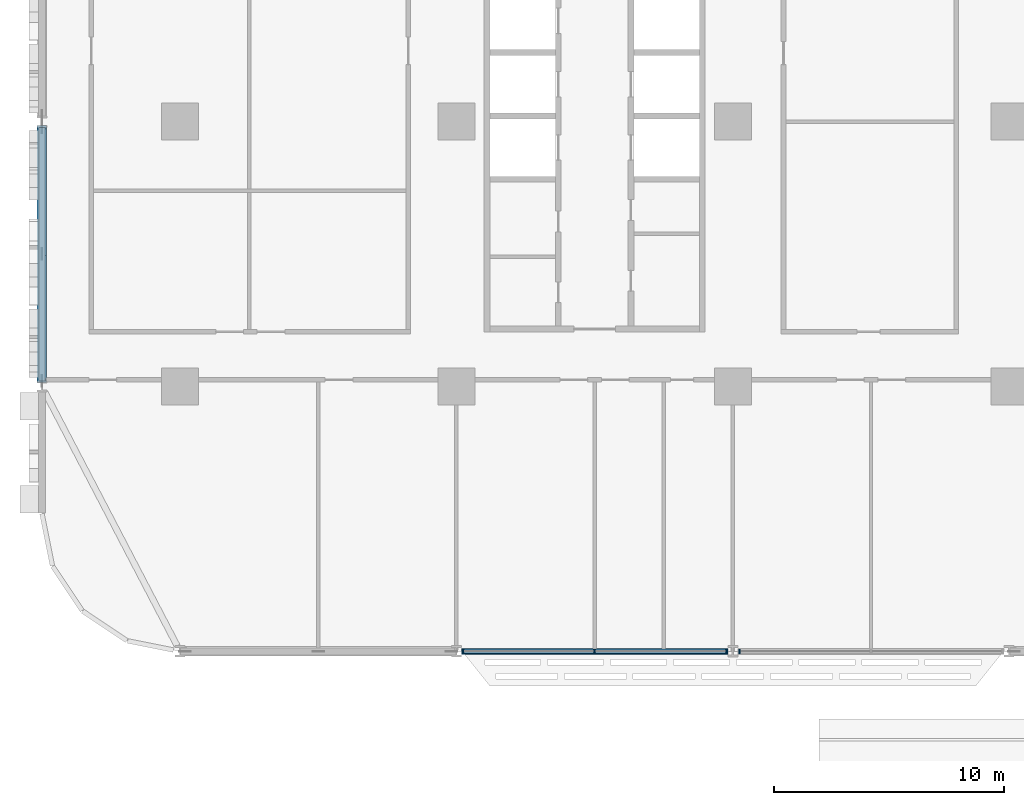
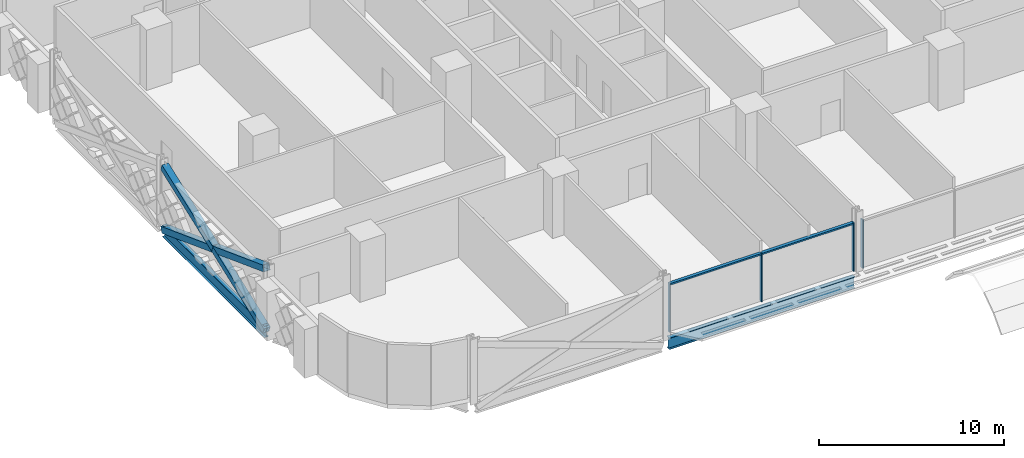
# One storey, part 2 of 26: 9 members, 2 beams, 2 elements without a shape of their own.
"""IFC4 building model written with IfcOpenShell, lengths in metres."""

from ifc_helpers import new_model, si_unit, direction, frame, origin, origin_2d, place, context, subcontext, project, spatial, rectangle, hollow_rectangle, i_section, extrude, material, material_profile, profile_set, type_object, element, aggregate, save


model = new_model("IFC4")

# Units and contexts
model_context = context("Model", 3, precision=1e-05, world=origin(), true_north=direction((0.0, 1.0)))
body_context = subcontext(model_context, "Body", "Model", "MODEL_VIEW")
ifc_project = project(units=[si_unit("LENGTHUNIT", "METRE"), si_unit("AREAUNIT", "SQUARE_METRE"), si_unit("VOLUMEUNIT", "CUBIC_METRE"), si_unit("PLANEANGLEUNIT", "RADIAN"), si_unit("MASSUNIT", "GRAM", prefix="KILO")], contexts=[model_context])

# Site, building, storey
site_placement = place(None, origin())
site = spatial("IfcSite", under=ifc_project, at=site_placement, CompositionType="ELEMENT")
building_placement = place(site_placement, origin())
building = spatial("IfcBuilding", under=site, at=building_placement, Name="Mahtab Terrace Research Tower", CompositionType="ELEMENT")
storey_placement = place(building_placement, frame((0.0, 0.0, 15.800048828125)))
storey = spatial("IfcBuildingStorey", under=building, at=storey_placement, Name="L03", CompositionType="ELEMENT", Elevation=15.800048828125)

# Members
ifc_material_1 = material(Name="Steel ASTM A500 Gr C", Category="steel")
ifc_material_profile_1 = material_profile(ifc_material_1, hollow_rectangle(XDim=0.406494140625, YDim=0.406494140625, WallThickness=0.01904296875, at=origin_2d()), Name="HSS16X16X3/4")
ifc_profile_set_1 = profile_set([ifc_material_profile_1], Name="Steel ASTM A500 Gr C")
member_type_1 = type_object("IfcMemberType", Name="HSS 16x16x3/4 brace XB161634", PredefinedType="BRACE", material=ifc_profile_set_1)
member_1_placement = place(storey_placement, frame((-48.0, -0.248779296875, -0.62548828125), z_axis=(0.0, -0.936661873217, 0.350234971499), x_axis=(1.0, 0.0, 0.0)))
element("IfcMember", 1, at=member_1_placement, inside=storey, type_object=member_type_1, Name="Exoskeleton brace L03 10 a", PredefinedType="BRACE", context=body_context, shape_type="SweptSolid", body=[
    extrude(hollow_rectangle(XDim=0.406494140625, YDim=0.406494140625, WallThickness=0.01904296875, at=origin_2d()), origin(), (0.0, 0.0, 1.0), 11.746337890625),
])
for number, where, z_axis, x_axis, name in (
    (2, (-48.0, -11.251220703125, -0.62548828125), (0.0, 0.936668691391, 0.350216736563), (-1.0, 0.0, 0.0), "Exoskeleton brace L03 10 b1"),
    (3, (-48.0, -5.75, 1.431396484375), (0.0, 0.936655054788, 0.350253206038), (-1.0, 0.0, 0.0), "Exoskeleton brace L03 10 b2"),
):
    element("IfcMember", number, at=place(storey_placement, frame(where, z_axis=z_axis, x_axis=x_axis)), inside=storey, type_object=member_type_1, Name=name, PredefinedType="BRACE", context=body_context, shape_type="SweptSolid", body=[
        extrude(hollow_rectangle(XDim=0.406494140625, YDim=0.406494140625, WallThickness=0.01904296875, at=origin_2d()), origin(), (0.0, 0.0, 1.0), 5.873291015625),
    ])

# Curtain wall, members
ifc_material_2 = material(Name="Laboratory ribbon curtain wall")
curtain_wall_type = type_object("IfcCurtainWallType", Name="Laboratory ribbon curtain wall", PredefinedType="NOTDEFINED", material=ifc_material_2)
curtain_wall_1_placement = place(storey_placement, origin())
curtain_wall_1 = element("IfcCurtainWall", 4, at=curtain_wall_1_placement, inside=storey, type_object=curtain_wall_type, Name="EN.L03.13.23", PredefinedType="NOTDEFINED")
ifc_material_3 = material(Name="Natural anodised aluminium", Category="aluminium")
ifc_material_profile_2 = material_profile(ifc_material_3, rectangle(XDim=0.199951171875, YDim=0.06494140625, at=origin_2d()), Name="MULLION 65x200")
ifc_profile_set_2 = profile_set([ifc_material_profile_2], Name="Natural anodised aluminium")
member_type_2 = type_object("IfcMemberType", Name="Laboratory ribbon curtain wall mullion", PredefinedType="MULLION", material=ifc_profile_set_2)
member_2_placement = place(storey_placement, frame((-29.718505859375, -23.0, 0.0), z_axis=(0.0, 0.0, 1.0), x_axis=(0.0, 1.0, 0.0)))
member_2 = element("IfcMember", 5, at=member_2_placement, type_object=member_type_2, Name="CWL-1 mullion 1", PredefinedType="MULLION", context=body_context, shape_type="SweptSolid", body=[
    extrude(rectangle(XDim=0.199951171875, YDim=0.06494140625, at=origin_2d()), origin(), (0.0, 0.0, 1.0), 3.203125),
])
member_3_placement = place(storey_placement, frame((-24.0, -23.0, 0.0), z_axis=(0.0, 0.0, 1.0), x_axis=(0.0, 1.0, 0.0)))
member_3 = element("IfcMember", 6, at=member_3_placement, type_object=member_type_2, Name="CWL-1 mullion 2", PredefinedType="MULLION", context=body_context, shape_type="SweptSolid", body=[
    extrude(rectangle(XDim=0.199951171875, YDim=0.06494140625, at=origin_2d()), origin(), (0.0, 0.0, 1.0), 3.203125),
])
member_4_placement = place(storey_placement, frame((-18.281494140625, -23.0, 0.0), z_axis=(0.0, 0.0, 1.0), x_axis=(0.0, 1.0, 0.0)))
member_4 = element("IfcMember", 7, at=member_4_placement, type_object=member_type_2, Name="CWL-1 mullion 3", PredefinedType="MULLION", context=body_context, shape_type="SweptSolid", body=[
    extrude(rectangle(XDim=0.199951171875, YDim=0.06494140625, at=origin_2d()), origin(), (0.0, 0.0, 1.0), 3.203125),
])

# Curtain wall, member
curtain_wall_2_placement = place(storey_placement, origin())
curtain_wall_2 = element("IfcCurtainWall", 8, at=curtain_wall_2_placement, inside=storey, type_object=curtain_wall_type, Name="EN.L03.13.24", PredefinedType="NOTDEFINED")
member_5_placement = place(storey_placement, frame((-17.718505859375, -23.0, 0.0), z_axis=(0.0, 0.0, 1.0), x_axis=(0.0, 1.0, 0.0)))
member_5 = element("IfcMember", 9, at=member_5_placement, type_object=member_type_2, Name="CWL-1 mullion 1", PredefinedType="MULLION", context=body_context, shape_type="SweptSolid", body=[
    extrude(rectangle(XDim=0.199951171875, YDim=0.06494140625, at=origin_2d()), origin(), (0.0, 0.0, 1.0), 3.203125),
])
aggregate(curtain_wall_2, [member_5])

# Member
ifc_material_profile_3 = material_profile(ifc_material_3, rectangle(XDim=0.199951171875, YDim=0.10009765625, at=origin_2d()), Name="TRANSOM 100x200")
ifc_profile_set_3 = profile_set([ifc_material_profile_3], Name="Natural anodised aluminium")
member_type_3 = type_object("IfcMemberType", Name="Laboratory ribbon curtain wall transom", PredefinedType="USERDEFINED", material=ifc_profile_set_3)
member_6_placement = place(storey_placement, frame((-29.68603515625, -23.0, 3.153076171875), z_axis=(1.0, 0.0, 0.0), x_axis=(0.0, 1.0, 0.0)))
member_6 = element("IfcMember", 10, at=member_6_placement, type_object=member_type_3, Name="CWL-1 transom 1", ObjectType="TRANSOM", PredefinedType="USERDEFINED", context=body_context, shape_type="SweptSolid", body=[
    extrude(rectangle(XDim=0.199951171875, YDim=0.10009765625, at=origin_2d()), origin(), (0.0, 0.0, 1.0), 5.653564453125),
])

member_7_placement = place(storey_placement, frame((-23.967529296875, -23.0, 3.153076171875), z_axis=(1.0, 0.0, 0.0), x_axis=(0.0, 1.0, 0.0)))
member_7 = element("IfcMember", 11, at=member_7_placement, type_object=member_type_3, Name="CWL-1 transom 2", ObjectType="TRANSOM", PredefinedType="USERDEFINED", context=body_context, shape_type="SweptSolid", body=[
    extrude(rectangle(XDim=0.199951171875, YDim=0.10009765625, at=origin_2d()), origin(), (0.0, 0.0, 1.0), 5.653564453125),
])

aggregate(curtain_wall_1, [member_2, member_3, member_4, member_6, member_7])

# Beams
ifc_material_4 = material(Name="Steel ASTM A992 Gr 50", Category="steel")
ifc_material_profile_4 = material_profile(ifc_material_4, i_section(OverallWidth=0.2666015625, OverallDepth=0.7568359375, WebThickness=0.013916015625, FlangeThickness=0.019287109375, at=origin_2d()), Name="W30X108")
ifc_profile_set_4 = profile_set([ifc_material_profile_4], Name="Steel ASTM A992 Gr 50")
beam_type = type_object("IfcBeamType", Name="W30x108 beam BS30108", PredefinedType="BEAM", material=ifc_profile_set_4)
beam_1_placement = place(storey_placement, frame((-48.0, -0.248779296875, -0.718505859375), z_axis=(0.0, -1.0, 0.0), x_axis=(1.0, 0.0, 0.0)))
element("IfcBeam", 12, at=beam_1_placement, inside=storey, type_object=beam_type, Name="Spandrel beam L03 10", PredefinedType="BEAM", context=body_context, shape_type="SweptSolid", body=[
    extrude(i_section(OverallWidth=0.2666015625, OverallDepth=0.7568359375, WebThickness=0.013916015625, FlangeThickness=0.019287109375, at=origin_2d()), origin(), (0.0, 0.0, 1.0), 11.00244140625),
])
beam_2_placement = place(storey_placement, frame((-29.7841796875, -23.0, -0.718505859375), z_axis=(1.0, 0.0, 0.0), x_axis=(0.0, 1.0, 0.0)))
element("IfcBeam", 13, at=beam_2_placement, inside=storey, type_object=beam_type, Name="Spandrel beam L03 13", PredefinedType="BEAM", context=body_context, shape_type="SweptSolid", body=[
    extrude(i_section(OverallWidth=0.2666015625, OverallDepth=0.7568359375, WebThickness=0.013916015625, FlangeThickness=0.019287109375, at=origin_2d()), origin(), (0.0, 0.0, 1.0), 11.568359375),
])

save(model, "model.ifc")
